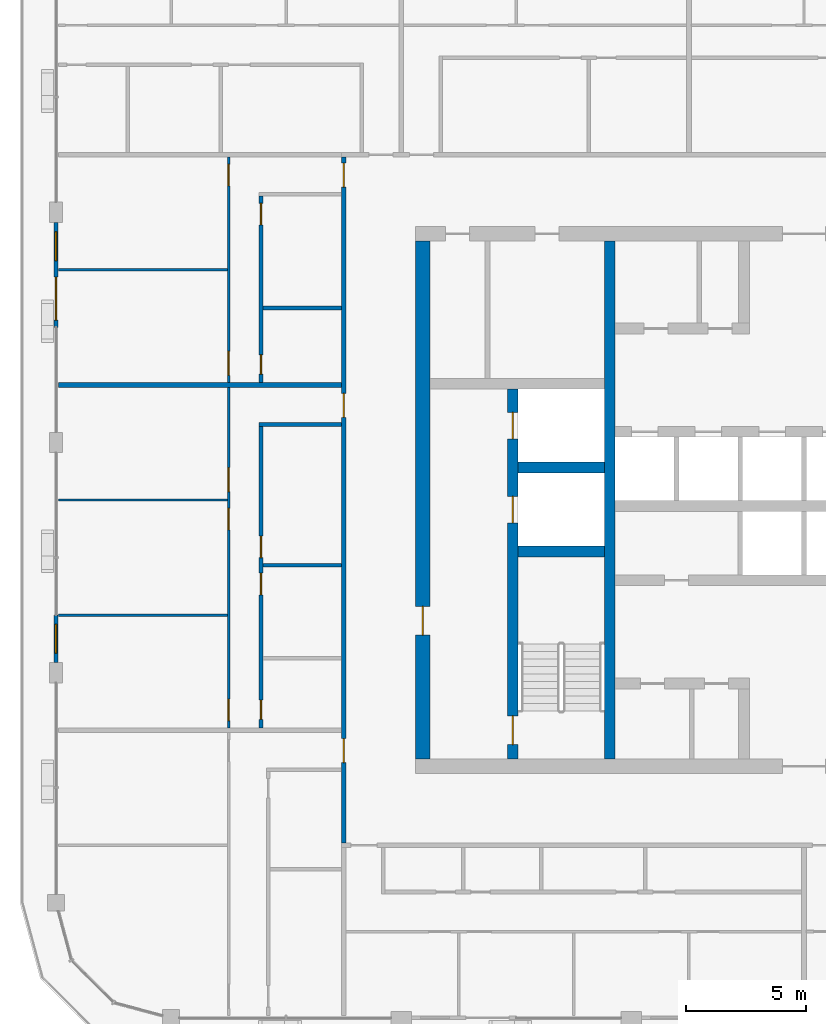
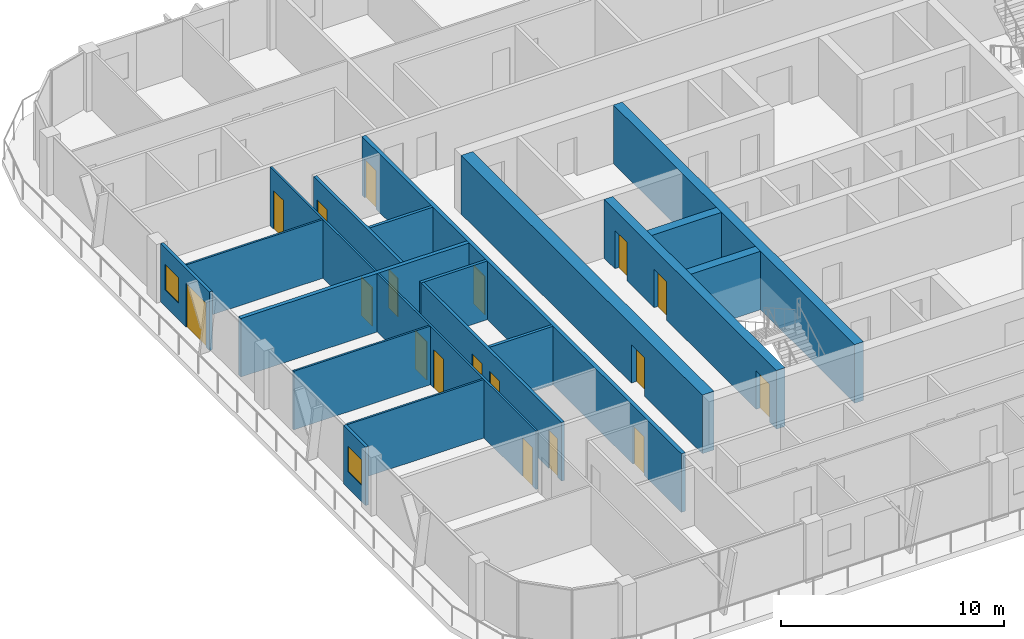
# One storey, part 10 of 21: 19 walls, 18 doors, 2 windows, 20 openings.
"""IFC4 building model written with IfcOpenShell, lengths in metres."""

from ifc_helpers import new_model, si_unit, direction, frame, frame_2d, origin, place, context, subcontext, project, spatial, rectangle, extrude, material, layer, layer_set, type_object, element, fill, save


model = new_model("IFC4")

# Units and contexts
model_context = context("Model", 3, precision=1e-05, world=origin(), true_north=direction((0.0, 1.0)))
body_context = subcontext(model_context, "Body", "Model", "MODEL_VIEW")
ifc_project = project(units=[si_unit("LENGTHUNIT", "METRE"), si_unit("AREAUNIT", "SQUARE_METRE"), si_unit("VOLUMEUNIT", "CUBIC_METRE"), si_unit("PLANEANGLEUNIT", "RADIAN"), si_unit("MASSUNIT", "GRAM", prefix="KILO")], contexts=[model_context])

# Site, building, storey
site_placement = place(None, origin())
site = spatial("IfcSite", under=ifc_project, at=site_placement, CompositionType="ELEMENT")
building_placement = place(site_placement, origin())
building = spatial("IfcBuilding", under=site, at=building_placement, Name="Madar Terraces", CompositionType="ELEMENT")
storey_placement = place(building_placement, frame((0.0, 0.0, 238.699951171875)))
storey = spatial("IfcBuildingStorey", under=building, at=storey_placement, Name="L62", CompositionType="ELEMENT", Elevation=238.699951171875)

# Wall, openings, doors
ifc_material_1 = material(Name="Concrete C55/67", Category="concrete")
ifc_layer_1 = layer(ifc_material_1, 0.449951171875)
ifc_layer_set_1 = layer_set([ifc_layer_1], Name="Concrete C55/67 (CIW5 RC wall 450)")
wall_type_1 = type_object("IfcWallType", Name="CIW5 RC wall 450", PredefinedType="SHEAR", material=ifc_layer_set_1)
wall_1_placement = place(storey_placement, frame((19.050048828125, 15.60009765625, 0.0), z_axis=(0.0, 0.0, 1.0), x_axis=(0.0, 1.0, 0.0)))
wall_1 = element("IfcWall", 1, at=wall_1_placement, inside=storey, type_object=wall_type_1, Name="CORE SHAFT WALL", PredefinedType="SHEAR", context=body_context, shape_type="SweptSolid", body=[
    extrude(rectangle(XDim=15.4248046875, YDim=0.449951171875, at=frame_2d((7.71240234375, 0.0))), origin(), (0.0, 0.0, 1.0), 3.199951171875),
])
opening_1_placement = place(wall_1_placement, frame((9.85009765625, 0.0, 0.0)))
opening_1 = element("IfcOpeningElement", 2, at=opening_1_placement, cuts=wall_1, Name="Opening LD", PredefinedType="OPENING", context=body_context, shape_type="SweptSolid", body=[
    extrude(rectangle(XDim=1.10009765625, YDim=2.10009765625, at=frame_2d((0.550048828125, 1.050048828125))), frame((0.0, 0.23486328125, 0.0), z_axis=(0.0, -1.0, 0.0), x_axis=(1.0, 0.0, 0.0)), (0.0, 0.0, 1.0), 0.469970703125),
])
opening_2_placement = place(wall_1_placement, frame((13.35009765625, 0.0, 0.0)))
opening_2 = element("IfcOpeningElement", 3, at=opening_2_placement, cuts=wall_1, Name="Opening LD", PredefinedType="OPENING", context=body_context, shape_type="SweptSolid", body=[
    extrude(rectangle(XDim=1.10009765625, YDim=2.10009765625, at=frame_2d((0.550048828125, 1.050048828125))), frame((0.0, 0.23486328125, 0.0), z_axis=(0.0, -1.0, 0.0), x_axis=(1.0, 0.0, 0.0)), (0.0, 0.0, 1.0), 0.469970703125),
])
opening_3_placement = place(wall_1_placement, frame((0.60009765625, 0.0, 0.0)))
opening_3 = element("IfcOpeningElement", 4, at=opening_3_placement, cuts=wall_1, Name="Opening SD1", PredefinedType="OPENING", context=body_context, shape_type="SweptSolid", body=[
    extrude(rectangle(XDim=1.199951171875, YDim=2.10009765625, at=frame_2d((0.60009765625, 1.050048828125))), frame((0.0, 0.23486328125, 0.0), z_axis=(0.0, -1.0, 0.0), x_axis=(1.0, 0.0, 0.0)), (0.0, 0.0, 1.0), 0.469970703125),
])
ifc_material_2 = material(Name="Stainless steel panel", Category="steel")
door_type_1 = type_object("IfcDoorType", Name="Lift landing door 1100 x 2100", OperationType="DOUBLE_DOOR_SLIDING", PredefinedType="DOOR", material=ifc_material_2)
door_1_placement = place(opening_1_placement, origin())
door_1 = element("IfcDoor", 5, at=door_1_placement, inside=storey, type_object=door_type_1, Name="LIFT LANDING DOOR", OperationType="DOUBLE_DOOR_SLIDING", OverallHeight=2.10009765625, OverallWidth=1.10009765625, PredefinedType="DOOR", context=body_context, shape_type="SweptSolid", body=[
    extrude(rectangle(XDim=1.10009765625, YDim=2.10009765625, at=frame_2d((0.550048828125, 1.050048828125))), frame((0.0, 0.02490234375, 0.0), z_axis=(0.0, -1.0, 0.0), x_axis=(1.0, 0.0, 0.0)), (0.0, 0.0, 1.0), 0.050048828125),
])
fill(opening_1, door_1)
door_2_placement = place(opening_2_placement, origin())
door_2 = element("IfcDoor", 6, at=door_2_placement, inside=storey, type_object=door_type_1, Name="LIFT LANDING DOOR", OperationType="DOUBLE_DOOR_SLIDING", OverallHeight=2.10009765625, OverallWidth=1.10009765625, PredefinedType="DOOR", context=body_context, shape_type="SweptSolid", body=[
    extrude(rectangle(XDim=1.10009765625, YDim=2.10009765625, at=frame_2d((0.550048828125, 1.050048828125))), frame((0.0, 0.02490234375, 0.0), z_axis=(0.0, -1.0, 0.0), x_axis=(1.0, 0.0, 0.0)), (0.0, 0.0, 1.0), 0.050048828125),
])
fill(opening_2, door_2)
ifc_material_3 = material(Name="Steel door leaf", Category="steel")
door_type_2 = type_object("IfcDoorType", Name="Stair door 1200 x 2100", OperationType="NOTDEFINED", PredefinedType="DOOR", material=ifc_material_3)
door_3_placement = place(opening_3_placement, frame((1.199951171875, 0.0, 0.0), z_axis=(0.0, 0.0, 1.0), x_axis=(-1.0, 0.0, 0.0)))
door_3 = element("IfcDoor", 7, at=door_3_placement, inside=storey, type_object=door_type_2, Name="STAIR DOOR", OperationType="SINGLE_SWING_RIGHT", OverallHeight=2.10009765625, OverallWidth=1.199951171875, PredefinedType="DOOR", context=body_context, shape_type="SweptSolid", body=[
    extrude(rectangle(XDim=1.199951171875, YDim=2.10009765625, at=frame_2d((0.60009765625, 1.050048828125))), frame((0.0, 0.02490234375, 0.0), z_axis=(0.0, -1.0, 0.0), x_axis=(1.0, 0.0, 0.0)), (0.0, 0.0, 1.0), 0.050048828125),
])
fill(opening_3, door_3)

# Walls
wall_2_placement = place(storey_placement, frame((23.10009765625, 15.60009765625, 0.0), z_axis=(0.0, 0.0, 1.0), x_axis=(0.0, 1.0, 0.0)))
element("IfcWall", 8, at=wall_2_placement, inside=storey, type_object=wall_type_1, Name="CORE SHAFT WALL", PredefinedType="SHEAR", context=body_context, shape_type="SweptSolid", body=[
    extrude(rectangle(XDim=21.599853515625, YDim=0.449951171875, at=frame_2d((10.7998046875, 0.0))), origin(), (0.0, 0.0, 1.0), 3.199951171875),
])
for number, where, z_axis, x_axis, name in (
    (9, (19.27490234375, 24.25, 0.0), (0.0, 0.0, 1.0), (1.0, 0.0, 0.0), "CORE SHAFT WALL"),
    (10, (19.27490234375, 27.75, 0.0), (0.0, 0.0, 1.0), (1.0, 0.0, 0.0), "CORE SHAFT WALL"),
):
    element("IfcWall", number, at=place(storey_placement, frame(where, z_axis=z_axis, x_axis=x_axis)), inside=storey, type_object=wall_type_1, Name=name, PredefinedType="SHEAR", context=body_context, shape_type="SweptSolid", body=[
        extrude(rectangle(XDim=3.60009765625, YDim=0.449951171875, at=frame_2d((1.800048828125, 0.0))), origin(), (0.0, 0.0, 1.0), 3.199951171875),
    ])

# Wall, opening, door
ifc_material_4 = material(Name="Concrete C55/67", Category="concrete")
ifc_layer_2 = layer(ifc_material_4, 0.60009765625)
ifc_layer_set_2 = layer_set([ifc_layer_2], Name="Concrete C55/67 (CRW5 RC wall 600)")
wall_type_2 = type_object("IfcWallType", Name="CRW5 RC wall 600", PredefinedType="SHEAR", material=ifc_layer_set_2)
wall_3_placement = place(storey_placement, frame((15.300048828125, 15.60009765625, 0.0), z_axis=(0.0, 0.0, 1.0), x_axis=(0.0, 1.0, 0.0)))
wall_3 = element("IfcWall", 11, at=wall_3_placement, inside=storey, type_object=wall_type_2, Name="CORE OUTER WALL", PredefinedType="SHEAR", context=body_context, shape_type="SweptSolid", body=[
    extrude(rectangle(XDim=21.599853515625, YDim=0.60009765625, at=frame_2d((10.7998046875, 0.0))), origin(), (0.0, 0.0, 1.0), 3.199951171875),
])
opening_4_placement = place(wall_3_placement, frame((5.159912109375, 0.0, 0.0)))
opening_4 = element("IfcOpeningElement", 12, at=opening_4_placement, cuts=wall_3, Name="Opening SD1", PredefinedType="OPENING", context=body_context, shape_type="SweptSolid", body=[
    extrude(rectangle(XDim=1.199951171875, YDim=2.10009765625, at=frame_2d((0.60009765625, 1.050048828125))), frame((0.0, 0.31005859375, 0.0), z_axis=(0.0, -1.0, 0.0), x_axis=(1.0, 0.0, 0.0)), (0.0, 0.0, 1.0), 0.6201171875),
])
door_4_placement = place(opening_4_placement, frame((1.199951171875, 0.0, 0.0), z_axis=(0.0, 0.0, 1.0), x_axis=(-1.0, 0.0, 0.0)))
door_4 = element("IfcDoor", 13, at=door_4_placement, inside=storey, type_object=door_type_2, Name="STAIR DOOR", OperationType="SINGLE_SWING_LEFT", OverallHeight=2.10009765625, OverallWidth=1.199951171875, PredefinedType="DOOR", context=body_context, shape_type="SweptSolid", body=[
    extrude(rectangle(XDim=1.199951171875, YDim=2.10009765625, at=frame_2d((0.60009765625, 1.050048828125))), frame((0.0, 0.02490234375, 0.0), z_axis=(0.0, -1.0, 0.0), x_axis=(1.0, 0.0, 0.0)), (0.0, 0.0, 1.0), 0.050048828125),
])
fill(opening_4, door_4)

# Wall, openings, door, window
ifc_material_5 = material(Name="Aluminium composite panel, black, over insulated backing", Category="aluminium")
ifc_layer_3 = layer(ifc_material_5, 0.14990234375)
ifc_layer_set_3 = layer_set([ifc_layer_3], Name="Facade bay panel 150")
wall_type_3 = type_object("IfcWallType", Name="Facade bay panel 150", PredefinedType="SOLIDWALL", material=ifc_layer_set_3)
wall_4_placement = place(storey_placement, frame((0.0, 37.97509765625, 0.0), z_axis=(0.0, 0.0, 1.0), x_axis=(0.0, -1.0, 0.0)))
wall_4 = element("IfcWall", 14, at=wall_4_placement, inside=storey, type_object=wall_type_3, Name="Facade bay panel", PredefinedType="SOLIDWALL", context=body_context, shape_type="SweptSolid", body=[
    extrude(rectangle(XDim=4.375, YDim=0.14990234375, at=frame_2d((2.1875, 0.0))), origin(), (0.0, 0.0, 1.0), 3.199951171875),
])
opening_5_placement = place(wall_4_placement, frame((0.387451171875, 0.0, 0.89990234375)))
opening_5 = element("IfcOpeningElement", 15, at=opening_5_placement, cuts=wall_4, Name="Opening W1", PredefinedType="OPENING", context=body_context, shape_type="SweptSolid", body=[
    extrude(rectangle(XDim=1.199951171875, YDim=1.39990234375, at=frame_2d((0.60009765625, 0.699951171875))), frame((0.0, 0.0849609375, 0.0), z_axis=(0.0, -1.0, 0.0), x_axis=(1.0, 0.0, 0.0)), (0.0, 0.0, 1.0), 0.169921875),
])
opening_6_placement = place(wall_4_placement, frame((2.27490234375, 0.0, 0.0)))
opening_6 = element("IfcOpeningElement", 16, at=opening_6_placement, cuts=wall_4, Name="Opening ED1", PredefinedType="OPENING", context=body_context, shape_type="SweptSolid", body=[
    extrude(rectangle(XDim=1.800048828125, YDim=2.39990234375, at=frame_2d((0.89990234375, 1.199951171875))), frame((0.0, 0.0849609375, 0.0), z_axis=(0.0, -1.0, 0.0), x_axis=(1.0, 0.0, 0.0)), (0.0, 0.0, 1.0), 0.169921875),
])
ifc_material_6 = material(Name="Glass, clear, with black aluminium frame", Category="aluminium")
door_type_3 = type_object("IfcDoorType", Name="Balcony and terrace sliding door 1800 x 2400", OperationType="SLIDING_TO_LEFT", PredefinedType="DOOR", material=ifc_material_6)
door_5_placement = place(opening_6_placement, origin())
door_5 = element("IfcDoor", 17, at=door_5_placement, inside=storey, type_object=door_type_3, Name="Balcony door", OperationType="SLIDING_TO_LEFT", OverallHeight=2.39990234375, OverallWidth=1.800048828125, PredefinedType="DOOR", context=body_context, shape_type="SweptSolid", body=[
    extrude(rectangle(XDim=1.800048828125, YDim=2.39990234375, at=frame_2d((0.89990234375, 1.199951171875))), frame((0.0, 0.02490234375, 0.0), z_axis=(0.0, -1.0, 0.0), x_axis=(1.0, 0.0, 0.0)), (0.0, 0.0, 1.0), 0.050048828125),
])
fill(opening_6, door_5)
ifc_material_7 = material(Name="Glass, clear, with black aluminium frame", Category="aluminium")
window_type = type_object("IfcWindowType", Name="Vent window 1200 x 1400", PartitioningType="SINGLE_PANEL", PredefinedType="WINDOW", material=ifc_material_7)
window_1_placement = place(opening_5_placement, origin())
window_1 = element("IfcWindow", 18, at=window_1_placement, inside=storey, type_object=window_type, Name="Operable vent window", OverallHeight=1.39990234375, OverallWidth=1.199951171875, PartitioningType="SINGLE_PANEL", PredefinedType="WINDOW", context=body_context, shape_type="SweptSolid", body=[
    extrude(rectangle(XDim=1.199951171875, YDim=1.39990234375, at=frame_2d((0.60009765625, 0.699951171875))), frame((0.0, 0.030029296875, 0.0), z_axis=(0.0, -1.0, 0.0), x_axis=(1.0, 0.0, 0.0)), (0.0, 0.0, 1.0), 0.06005859375),
])
fill(opening_5, window_1)

# Wall, opening, window
wall_5_placement = place(storey_placement, frame((0.0, 21.60009765625, 0.0), z_axis=(0.0, 0.0, 1.0), x_axis=(0.0, -1.0, 0.0)))
wall_5 = element("IfcWall", 19, at=wall_5_placement, inside=storey, type_object=wall_type_3, Name="Facade bay panel", PredefinedType="SOLIDWALL", context=body_context, shape_type="SweptSolid", body=[
    extrude(rectangle(XDim=1.97509765625, YDim=0.14990234375, at=frame_2d((0.987548828125, 0.0))), origin(), (0.0, 0.0, 1.0), 3.199951171875),
])
opening_7_placement = place(wall_5_placement, frame((0.387451171875, 0.0, 0.89990234375)))
opening_7 = element("IfcOpeningElement", 20, at=opening_7_placement, cuts=wall_5, Name="Opening W1", PredefinedType="OPENING", context=body_context, shape_type="SweptSolid", body=[
    extrude(rectangle(XDim=1.199951171875, YDim=1.39990234375, at=frame_2d((0.60009765625, 0.699951171875))), frame((0.0, 0.0849609375, 0.0), z_axis=(0.0, -1.0, 0.0), x_axis=(1.0, 0.0, 0.0)), (0.0, 0.0, 1.0), 0.169921875),
])
window_2_placement = place(opening_7_placement, origin())
window_2 = element("IfcWindow", 21, at=window_2_placement, inside=storey, type_object=window_type, Name="Operable vent window", OverallHeight=1.39990234375, OverallWidth=1.199951171875, PartitioningType="SINGLE_PANEL", PredefinedType="WINDOW", context=body_context, shape_type="SweptSolid", body=[
    extrude(rectangle(XDim=1.199951171875, YDim=1.39990234375, at=frame_2d((0.60009765625, 0.699951171875))), frame((0.0, 0.030029296875, 0.0), z_axis=(0.0, -1.0, 0.0), x_axis=(1.0, 0.0, 0.0)), (0.0, 0.0, 1.0), 0.06005859375),
])
fill(opening_7, window_2)

# Wall
ifc_material_8 = material(Name="Gypsum board on steel studs", Category="steel")
ifc_layer_4 = layer(ifc_material_8, 0.10009765625)
ifc_layer_set_4 = layer_set([ifc_layer_4], Name="Flat partition 100")
wall_type_4 = type_object("IfcWallType", Name="Flat partition 100", PredefinedType="PARTITIONING", material=ifc_layer_set_4)
wall_6_placement = place(storey_placement, frame((7.14990234375, 36.0, 0.0), z_axis=(0.0, 0.0, 1.0), x_axis=(-1.0, 0.0, 0.0)))
element("IfcWall", 22, at=wall_6_placement, inside=storey, type_object=wall_type_4, Name="Flat partition 100", PredefinedType="PARTITIONING", context=body_context, shape_type="SweptSolid", body=[
    extrude(rectangle(XDim=7.0498046875, YDim=0.10009765625, at=frame_2d((3.52490234375, 0.0))), origin(), (0.0, 0.0, 1.0), 3.199951171875),
])

# Wall, openings, doors
wall_7_placement = place(storey_placement, frame((7.199951171875, 31.300048828125, 0.0), z_axis=(0.0, 0.0, 1.0), x_axis=(0.0, 1.0, 0.0)))
wall_7 = element("IfcWall", 23, at=wall_7_placement, inside=storey, type_object=wall_type_4, Name="Flat partition 100", PredefinedType="PARTITIONING", context=body_context, shape_type="SweptSolid", body=[
    extrude(rectangle(XDim=9.39990234375, YDim=0.10009765625, at=frame_2d((4.699951171875, 0.0))), origin(), (0.0, 0.0, 1.0), 3.199951171875),
])
opening_8_placement = place(wall_7_placement, frame((8.199951171875, 0.0, 0.0)))
opening_8 = element("IfcOpeningElement", 24, at=opening_8_placement, cuts=wall_7, Name="Opening D2", PredefinedType="OPENING", context=body_context, shape_type="SweptSolid", body=[
    extrude(rectangle(XDim=0.89990234375, YDim=2.10009765625, at=frame_2d((0.449951171875, 1.050048828125))), frame((0.0, 0.06005859375, 0.0), z_axis=(0.0, -1.0, 0.0), x_axis=(1.0, 0.0, 0.0)), (0.0, 0.0, 1.0), 0.1201171875),
])
opening_9_placement = place(wall_7_placement, frame((0.300048828125, 0.0, 0.0)))
opening_9 = element("IfcOpeningElement", 25, at=opening_9_placement, cuts=wall_7, Name="Opening D3", PredefinedType="OPENING", context=body_context, shape_type="SweptSolid", body=[
    extrude(rectangle(XDim=1.0, YDim=2.10009765625, at=frame_2d((0.5, 1.050048828125))), frame((0.0, 0.06005859375, 0.0), z_axis=(0.0, -1.0, 0.0), x_axis=(1.0, 0.0, 0.0)), (0.0, 0.0, 1.0), 0.1201171875),
])
ifc_material_9 = material(Name="Timber door leaf", Category="wood")
door_type_4 = type_object("IfcDoorType", Name="Flat living room door 1000", OperationType="NOTDEFINED", PredefinedType="DOOR", material=ifc_material_9)
door_6_placement = place(opening_9_placement, origin())
door_6 = element("IfcDoor", 26, at=door_6_placement, inside=storey, type_object=door_type_4, Name="Flat living room door 1000", OperationType="SINGLE_SWING_LEFT", OverallHeight=2.10009765625, OverallWidth=1.0, PredefinedType="DOOR", context=body_context, shape_type="SweptSolid", body=[
    extrude(rectangle(XDim=1.0, YDim=2.10009765625, at=frame_2d((0.5, 1.050048828125))), frame((0.0, 0.02490234375, 0.0), z_axis=(0.0, -1.0, 0.0), x_axis=(1.0, 0.0, 0.0)), (0.0, 0.0, 1.0), 0.050048828125),
])
fill(opening_9, door_6)
ifc_material_10 = material(Name="Timber door leaf", Category="wood")
door_type_5 = type_object("IfcDoorType", Name="Flat room door 900", OperationType="NOTDEFINED", PredefinedType="DOOR", material=ifc_material_10)
door_7_placement = place(opening_8_placement, origin())
door_7 = element("IfcDoor", 27, at=door_7_placement, inside=storey, type_object=door_type_5, Name="Flat room door 900", OperationType="SINGLE_SWING_RIGHT", OverallHeight=2.10009765625, OverallWidth=0.89990234375, PredefinedType="DOOR", context=body_context, shape_type="SweptSolid", body=[
    extrude(rectangle(XDim=0.89990234375, YDim=2.10009765625, at=frame_2d((0.449951171875, 1.050048828125))), frame((0.0, 0.02490234375, 0.0), z_axis=(0.0, -1.0, 0.0), x_axis=(1.0, 0.0, 0.0)), (0.0, 0.0, 1.0), 0.050048828125),
])
fill(opening_8, door_7)

# Walls
for number, where, z_axis, x_axis, name in (
    (28, (7.14990234375, 26.39990234375, 0.0), (0.0, 0.0, 1.0), (-1.0, 0.0, 0.0), "Flat partition 100"),
    (29, (7.14990234375, 21.60009765625, 0.0), (0.0, 0.0, 1.0), (-1.0, 0.0, 0.0), "Flat partition 100"),
):
    element("IfcWall", number, at=place(storey_placement, frame(where, z_axis=z_axis, x_axis=x_axis)), inside=storey, type_object=wall_type_4, Name=name, PredefinedType="PARTITIONING", context=body_context, shape_type="SweptSolid", body=[
        extrude(rectangle(XDim=7.0498046875, YDim=0.10009765625, at=frame_2d((3.52490234375, 0.0))), origin(), (0.0, 0.0, 1.0), 3.199951171875),
    ])

# Wall, openings, doors
wall_8_placement = place(storey_placement, frame((7.199951171875, 16.89990234375, 0.0), z_axis=(0.0, 0.0, 1.0), x_axis=(0.0, 1.0, 0.0)))
wall_8 = element("IfcWall", 30, at=wall_8_placement, inside=storey, type_object=wall_type_4, Name="Flat partition 100", PredefinedType="PARTITIONING", context=body_context, shape_type="SweptSolid", body=[
    extrude(rectangle(XDim=14.2001953125, YDim=0.10009765625, at=frame_2d((7.10009765625, 0.0))), origin(), (0.0, 0.0, 1.0), 3.199951171875),
])
opening_10_placement = place(wall_8_placement, frame((9.85009765625, 0.0, 0.0)))
opening_10 = element("IfcOpeningElement", 31, at=opening_10_placement, cuts=wall_8, Name="Opening D3", PredefinedType="OPENING", context=body_context, shape_type="SweptSolid", body=[
    extrude(rectangle(XDim=1.0, YDim=2.10009765625, at=frame_2d((0.5, 1.050048828125))), frame((0.0, 0.06005859375, 0.0), z_axis=(0.0, -1.0, 0.0), x_axis=(1.0, 0.0, 0.0)), (0.0, 0.0, 1.0), 0.1201171875),
])
opening_11_placement = place(wall_8_placement, frame((8.25, 0.0, 0.0)))
opening_11 = element("IfcOpeningElement", 32, at=opening_11_placement, cuts=wall_8, Name="Opening D2", PredefinedType="OPENING", context=body_context, shape_type="SweptSolid", body=[
    extrude(rectangle(XDim=0.89990234375, YDim=2.10009765625, at=frame_2d((0.449951171875, 1.050048828125))), frame((0.0, 0.06005859375, 0.0), z_axis=(0.0, -1.0, 0.0), x_axis=(1.0, 0.0, 0.0)), (0.0, 0.0, 1.0), 0.1201171875),
])
opening_12_placement = place(wall_8_placement, frame((0.300048828125, 0.0, 0.0)))
opening_12 = element("IfcOpeningElement", 33, at=opening_12_placement, cuts=wall_8, Name="Opening D2", PredefinedType="OPENING", context=body_context, shape_type="SweptSolid", body=[
    extrude(rectangle(XDim=0.89990234375, YDim=2.10009765625, at=frame_2d((0.449951171875, 1.050048828125))), frame((0.0, 0.06005859375, 0.0), z_axis=(0.0, -1.0, 0.0), x_axis=(1.0, 0.0, 0.0)), (0.0, 0.0, 1.0), 0.1201171875),
])
door_8_placement = place(opening_10_placement, origin())
door_8 = element("IfcDoor", 34, at=door_8_placement, inside=storey, type_object=door_type_4, Name="Flat living room door 1000", OperationType="SINGLE_SWING_LEFT", OverallHeight=2.10009765625, OverallWidth=1.0, PredefinedType="DOOR", context=body_context, shape_type="SweptSolid", body=[
    extrude(rectangle(XDim=1.0, YDim=2.10009765625, at=frame_2d((0.5, 1.050048828125))), frame((0.0, 0.02490234375, 0.0), z_axis=(0.0, -1.0, 0.0), x_axis=(1.0, 0.0, 0.0)), (0.0, 0.0, 1.0), 0.050048828125),
])
fill(opening_10, door_8)
door_9_placement = place(opening_11_placement, origin())
door_9 = element("IfcDoor", 35, at=door_9_placement, inside=storey, type_object=door_type_5, Name="Flat room door 900", OperationType="SINGLE_SWING_RIGHT", OverallHeight=2.10009765625, OverallWidth=0.89990234375, PredefinedType="DOOR", context=body_context, shape_type="SweptSolid", body=[
    extrude(rectangle(XDim=0.89990234375, YDim=2.10009765625, at=frame_2d((0.449951171875, 1.050048828125))), frame((0.0, 0.02490234375, 0.0), z_axis=(0.0, -1.0, 0.0), x_axis=(1.0, 0.0, 0.0)), (0.0, 0.0, 1.0), 0.050048828125),
])
fill(opening_11, door_9)
door_10_placement = place(opening_12_placement, origin())
door_10 = element("IfcDoor", 36, at=door_10_placement, inside=storey, type_object=door_type_5, Name="Flat room door 900", OperationType="SINGLE_SWING_LEFT", OverallHeight=2.10009765625, OverallWidth=0.89990234375, PredefinedType="DOOR", context=body_context, shape_type="SweptSolid", body=[
    extrude(rectangle(XDim=0.89990234375, YDim=2.10009765625, at=frame_2d((0.449951171875, 1.050048828125))), frame((0.0, 0.02490234375, 0.0), z_axis=(0.0, -1.0, 0.0), x_axis=(1.0, 0.0, 0.0)), (0.0, 0.0, 1.0), 0.050048828125),
])
fill(opening_12, door_10)

ifc_material_11 = material(Name="Lightweight blockwork", Category="masonry")
ifc_layer_5 = layer(ifc_material_11, 0.199951171875)
ifc_layer_set_5 = layer_set([ifc_layer_5], Name="Flat party and entrance wall 200")
wall_type_5 = type_object("IfcWallType", Name="Flat party and entrance wall 200", PredefinedType="PARTITIONING", material=ifc_layer_set_5)
wall_9_placement = place(storey_placement, frame((12.0, 12.10009765625, 0.0), z_axis=(0.0, 0.0, 1.0), x_axis=(0.0, 1.0, 0.0)))
wall_9 = element("IfcWall", 37, at=wall_9_placement, inside=storey, type_object=wall_type_5, Name="Flat party and entrance wall 200", PredefinedType="PARTITIONING", context=body_context, shape_type="SweptSolid", body=[
    extrude(rectangle(XDim=28.599853515625, YDim=0.199951171875, at=frame_2d((14.2998046875, 0.0))), origin(), (0.0, 0.0, 1.0), 3.199951171875),
])
opening_13_placement = place(wall_9_placement, frame((27.35009765625, 0.0, 0.0)))
opening_13 = element("IfcOpeningElement", 38, at=opening_13_placement, cuts=wall_9, Name="Opening D1", PredefinedType="OPENING", context=body_context, shape_type="SweptSolid", body=[
    extrude(rectangle(XDim=1.0, YDim=2.10009765625, at=frame_2d((0.5, 1.050048828125))), frame((0.0, 0.10986328125, 0.0), z_axis=(0.0, -1.0, 0.0), x_axis=(1.0, 0.0, 0.0)), (0.0, 0.0, 1.0), 0.219970703125),
])
opening_14_placement = place(wall_9_placement, frame((17.75, 0.0, 0.0)))
opening_14 = element("IfcOpeningElement", 39, at=opening_14_placement, cuts=wall_9, Name="Opening D1", PredefinedType="OPENING", context=body_context, shape_type="SweptSolid", body=[
    extrude(rectangle(XDim=1.0, YDim=2.10009765625, at=frame_2d((0.5, 1.050048828125))), frame((0.0, 0.10986328125, 0.0), z_axis=(0.0, -1.0, 0.0), x_axis=(1.0, 0.0, 0.0)), (0.0, 0.0, 1.0), 0.219970703125),
])
opening_15_placement = place(wall_9_placement, frame((3.35009765625, 0.0, 0.0)))
opening_15 = element("IfcOpeningElement", 40, at=opening_15_placement, cuts=wall_9, Name="Opening D1", PredefinedType="OPENING", context=body_context, shape_type="SweptSolid", body=[
    extrude(rectangle(XDim=1.0, YDim=2.10009765625, at=frame_2d((0.5, 1.050048828125))), frame((0.0, 0.10986328125, 0.0), z_axis=(0.0, -1.0, 0.0), x_axis=(1.0, 0.0, 0.0)), (0.0, 0.0, 1.0), 0.219970703125),
])
ifc_material_12 = material(Name="Timber fire door leaf", Category="wood")
door_type_6 = type_object("IfcDoorType", Name="Flat entrance door 1000 FD30S", OperationType="NOTDEFINED", PredefinedType="DOOR", material=ifc_material_12)
door_11_placement = place(opening_13_placement, origin())
door_11 = element("IfcDoor", 41, at=door_11_placement, inside=storey, type_object=door_type_6, Name="Flat entrance door 1000 FD30S", OperationType="SINGLE_SWING_RIGHT", OverallHeight=2.10009765625, OverallWidth=1.0, PredefinedType="DOOR", context=body_context, shape_type="SweptSolid", body=[
    extrude(rectangle(XDim=1.0, YDim=2.10009765625, at=frame_2d((0.5, 1.050048828125))), frame((0.0, 0.02490234375, 0.0), z_axis=(0.0, -1.0, 0.0), x_axis=(1.0, 0.0, 0.0)), (0.0, 0.0, 1.0), 0.050048828125),
])
fill(opening_13, door_11)
door_12_placement = place(opening_14_placement, origin())
door_12 = element("IfcDoor", 42, at=door_12_placement, inside=storey, type_object=door_type_6, Name="Flat entrance door 1000 FD30S", OperationType="SINGLE_SWING_RIGHT", OverallHeight=2.10009765625, OverallWidth=1.0, PredefinedType="DOOR", context=body_context, shape_type="SweptSolid", body=[
    extrude(rectangle(XDim=1.0, YDim=2.10009765625, at=frame_2d((0.5, 1.050048828125))), frame((0.0, 0.02490234375, 0.0), z_axis=(0.0, -1.0, 0.0), x_axis=(1.0, 0.0, 0.0)), (0.0, 0.0, 1.0), 0.050048828125),
])
fill(opening_14, door_12)
door_13_placement = place(opening_15_placement, origin())
door_13 = element("IfcDoor", 43, at=door_13_placement, inside=storey, type_object=door_type_6, Name="Flat entrance door 1000 FD30S", OperationType="SINGLE_SWING_RIGHT", OverallHeight=2.10009765625, OverallWidth=1.0, PredefinedType="DOOR", context=body_context, shape_type="SweptSolid", body=[
    extrude(rectangle(XDim=1.0, YDim=2.10009765625, at=frame_2d((0.5, 1.050048828125))), frame((0.0, 0.02490234375, 0.0), z_axis=(0.0, -1.0, 0.0), x_axis=(1.0, 0.0, 0.0)), (0.0, 0.0, 1.0), 0.050048828125),
])
fill(opening_15, door_13)

# Walls
wall_10_placement = place(storey_placement, frame((0.10009765625, 31.199951171875, 0.0), z_axis=(0.0, 0.0, 1.0), x_axis=(1.0, 0.0, 0.0)))
element("IfcWall", 44, at=wall_10_placement, inside=storey, type_object=wall_type_5, Name="Flat party and entrance wall 200", PredefinedType="PARTITIONING", context=body_context, shape_type="SweptSolid", body=[
    extrude(rectangle(XDim=11.7998046875, YDim=0.199951171875, at=frame_2d((5.89990234375, 0.0))), origin(), (0.0, 0.0, 1.0), 3.199951171875),
])
ifc_material_13 = material(Name="Lightweight blockwork", Category="masonry")
ifc_layer_6 = layer(ifc_material_13, 0.14990234375)
ifc_layer_set_6 = layer_set([ifc_layer_6], Name="Flat wet-room partition 150")
wall_type_6 = type_object("IfcWallType", Name="Flat wet-room partition 150", PredefinedType="PARTITIONING", material=ifc_layer_set_6)
wall_11_placement = place(storey_placement, frame((11.89990234375, 34.409912109375, 0.0), z_axis=(0.0, 0.0, 1.0), x_axis=(-1.0, 0.0, 0.0)))
element("IfcWall", 45, at=wall_11_placement, inside=storey, type_object=wall_type_6, Name="Flat wet-room partition 150", PredefinedType="PARTITIONING", context=body_context, shape_type="SweptSolid", body=[
    extrude(rectangle(XDim=3.27490234375, YDim=0.14990234375, at=frame_2d((1.637451171875, 0.0))), origin(), (0.0, 0.0, 1.0), 3.199951171875),
])

# Wall, openings, doors
wall_12_placement = place(storey_placement, frame((8.550048828125, 39.074951171875, 0.0), z_axis=(0.0, 0.0, 1.0), x_axis=(0.0, -1.0, 0.0)))
wall_12 = element("IfcWall", 46, at=wall_12_placement, inside=storey, type_object=wall_type_6, Name="Flat wet-room partition 150", PredefinedType="PARTITIONING", context=body_context, shape_type="SweptSolid", body=[
    extrude(rectangle(XDim=7.77490234375, YDim=0.14990234375, at=frame_2d((3.887451171875, 0.0))), origin(), (0.0, 0.0, 1.0), 3.199951171875),
])
opening_16_placement = place(wall_12_placement, frame((0.300048828125, 0.0, 0.0)))
opening_16 = element("IfcOpeningElement", 47, at=opening_16_placement, cuts=wall_12, Name="Opening D2", PredefinedType="OPENING", context=body_context, shape_type="SweptSolid", body=[
    extrude(rectangle(XDim=0.89990234375, YDim=2.10009765625, at=frame_2d((0.449951171875, 1.050048828125))), frame((0.0, 0.0849609375, 0.0), z_axis=(0.0, -1.0, 0.0), x_axis=(1.0, 0.0, 0.0)), (0.0, 0.0, 1.0), 0.169921875),
])
opening_17_placement = place(wall_12_placement, frame((6.625, 0.0, 0.0)))
opening_17 = element("IfcOpeningElement", 48, at=opening_17_placement, cuts=wall_12, Name="Opening D4", PredefinedType="OPENING", context=body_context, shape_type="SweptSolid", body=[
    extrude(rectangle(XDim=0.800048828125, YDim=2.10009765625, at=frame_2d((0.39990234375, 1.050048828125))), frame((0.0, 0.0849609375, 0.0), z_axis=(0.0, -1.0, 0.0), x_axis=(1.0, 0.0, 0.0)), (0.0, 0.0, 1.0), 0.169921875),
])
ifc_material_14 = material(Name="Timber door leaf", Category="wood")
door_type_7 = type_object("IfcDoorType", Name="Flat bathroom door 800", OperationType="NOTDEFINED", PredefinedType="DOOR", material=ifc_material_14)
door_14_placement = place(opening_17_placement, origin())
door_14 = element("IfcDoor", 49, at=door_14_placement, inside=storey, type_object=door_type_7, Name="Flat bathroom door 800", OperationType="SINGLE_SWING_RIGHT", OverallHeight=2.10009765625, OverallWidth=0.800048828125, PredefinedType="DOOR", context=body_context, shape_type="SweptSolid", body=[
    extrude(rectangle(XDim=0.800048828125, YDim=2.10009765625, at=frame_2d((0.39990234375, 1.050048828125))), frame((0.0, 0.02490234375, 0.0), z_axis=(0.0, -1.0, 0.0), x_axis=(1.0, 0.0, 0.0)), (0.0, 0.0, 1.0), 0.050048828125),
])
fill(opening_17, door_14)
door_15_placement = place(opening_16_placement, origin())
door_15 = element("IfcDoor", 50, at=door_15_placement, inside=storey, type_object=door_type_5, Name="Flat room door 900", OperationType="SINGLE_SWING_LEFT", OverallHeight=2.10009765625, OverallWidth=0.89990234375, PredefinedType="DOOR", context=body_context, shape_type="SweptSolid", body=[
    extrude(rectangle(XDim=0.89990234375, YDim=2.10009765625, at=frame_2d((0.449951171875, 1.050048828125))), frame((0.0, 0.02490234375, 0.0), z_axis=(0.0, -1.0, 0.0), x_axis=(1.0, 0.0, 0.0)), (0.0, 0.0, 1.0), 0.050048828125),
])
fill(opening_16, door_15)

# Walls
wall_13_placement = place(storey_placement, frame((11.89990234375, 23.671142578125, 0.0), z_axis=(0.0, 0.0, 1.0), x_axis=(-1.0, 0.0, 0.0)))
element("IfcWall", 51, at=wall_13_placement, inside=storey, type_object=wall_type_6, Name="Flat wet-room partition 150", PredefinedType="PARTITIONING", context=body_context, shape_type="SweptSolid", body=[
    extrude(rectangle(XDim=3.27490234375, YDim=0.14990234375, at=frame_2d((1.637451171875, 0.0))), origin(), (0.0, 0.0, 1.0), 3.199951171875),
])
wall_14_placement = place(storey_placement, frame((11.89990234375, 29.550048828125, 0.0), z_axis=(0.0, 0.0, 1.0), x_axis=(-1.0, 0.0, 0.0)))
element("IfcWall", 52, at=wall_14_placement, inside=storey, type_object=wall_type_6, Name="Flat wet-room partition 150", PredefinedType="PARTITIONING", context=body_context, shape_type="SweptSolid", body=[
    extrude(rectangle(XDim=3.4248046875, YDim=0.14990234375, at=frame_2d((1.71240234375, 0.0))), origin(), (0.0, 0.0, 1.0), 3.199951171875),
])

# Wall, openings, doors
wall_15_placement = place(storey_placement, frame((8.550048828125, 29.47509765625, 0.0), z_axis=(0.0, 0.0, 1.0), x_axis=(0.0, -1.0, 0.0)))
wall_15 = element("IfcWall", 53, at=wall_15_placement, inside=storey, type_object=wall_type_6, Name="Flat wet-room partition 150", PredefinedType="PARTITIONING", context=body_context, shape_type="SweptSolid", body=[
    extrude(rectangle(XDim=12.5751953125, YDim=0.14990234375, at=frame_2d((6.28759765625, 0.0))), origin(), (0.0, 0.0, 1.0), 3.199951171875),
])
opening_18_placement = place(wall_15_placement, frame((4.578857421875, 0.0, 0.0)))
opening_18 = element("IfcOpeningElement", 54, at=opening_18_placement, cuts=wall_15, Name="Opening D2", PredefinedType="OPENING", context=body_context, shape_type="SweptSolid", body=[
    extrude(rectangle(XDim=0.89990234375, YDim=2.10009765625, at=frame_2d((0.449951171875, 1.050048828125))), frame((0.0, 0.0849609375, 0.0), z_axis=(0.0, -1.0, 0.0), x_axis=(1.0, 0.0, 0.0)), (0.0, 0.0, 1.0), 0.169921875),
])
opening_19_placement = place(wall_15_placement, frame((6.12890625, 0.0, 0.0)))
opening_19 = element("IfcOpeningElement", 55, at=opening_19_placement, cuts=wall_15, Name="Opening D5", PredefinedType="OPENING", context=body_context, shape_type="SweptSolid", body=[
    extrude(rectangle(XDim=0.89990234375, YDim=2.10009765625, at=frame_2d((0.449951171875, 1.050048828125))), frame((0.0, 0.0849609375, 0.0), z_axis=(0.0, -1.0, 0.0), x_axis=(1.0, 0.0, 0.0)), (0.0, 0.0, 1.0), 0.169921875),
])
opening_20_placement = place(wall_15_placement, frame((11.425048828125, 0.0, 0.0)))
opening_20 = element("IfcOpeningElement", 56, at=opening_20_placement, cuts=wall_15, Name="Opening D4", PredefinedType="OPENING", context=body_context, shape_type="SweptSolid", body=[
    extrude(rectangle(XDim=0.800048828125, YDim=2.10009765625, at=frame_2d((0.39990234375, 1.050048828125))), frame((0.0, 0.0849609375, 0.0), z_axis=(0.0, -1.0, 0.0), x_axis=(1.0, 0.0, 0.0)), (0.0, 0.0, 1.0), 0.169921875),
])
ifc_material_15 = material(Name="Timber door leaf", Category="wood")
door_type_8 = type_object("IfcDoorType", Name="Flat accessible bathroom door 900", OperationType="NOTDEFINED", PredefinedType="DOOR", material=ifc_material_15)
door_16_placement = place(opening_19_placement, origin())
door_16 = element("IfcDoor", 57, at=door_16_placement, inside=storey, type_object=door_type_8, Name="Flat accessible bathroom door 900", OperationType="SINGLE_SWING_LEFT", OverallHeight=2.10009765625, OverallWidth=0.89990234375, PredefinedType="DOOR", context=body_context, shape_type="SweptSolid", body=[
    extrude(rectangle(XDim=0.89990234375, YDim=2.10009765625, at=frame_2d((0.449951171875, 1.050048828125))), frame((0.0, 0.02490234375, 0.0), z_axis=(0.0, -1.0, 0.0), x_axis=(1.0, 0.0, 0.0)), (0.0, 0.0, 1.0), 0.050048828125),
])
fill(opening_19, door_16)
door_17_placement = place(opening_20_placement, origin())
door_17 = element("IfcDoor", 58, at=door_17_placement, inside=storey, type_object=door_type_7, Name="Flat bathroom door 800", OperationType="SINGLE_SWING_RIGHT", OverallHeight=2.10009765625, OverallWidth=0.800048828125, PredefinedType="DOOR", context=body_context, shape_type="SweptSolid", body=[
    extrude(rectangle(XDim=0.800048828125, YDim=2.10009765625, at=frame_2d((0.39990234375, 1.050048828125))), frame((0.0, 0.02490234375, 0.0), z_axis=(0.0, -1.0, 0.0), x_axis=(1.0, 0.0, 0.0)), (0.0, 0.0, 1.0), 0.050048828125),
])
fill(opening_20, door_17)
door_18_placement = place(opening_18_placement, origin())
door_18 = element("IfcDoor", 59, at=door_18_placement, inside=storey, type_object=door_type_5, Name="Flat room door 900", OperationType="SINGLE_SWING_RIGHT", OverallHeight=2.10009765625, OverallWidth=0.89990234375, PredefinedType="DOOR", context=body_context, shape_type="SweptSolid", body=[
    extrude(rectangle(XDim=0.89990234375, YDim=2.10009765625, at=frame_2d((0.449951171875, 1.050048828125))), frame((0.0, 0.02490234375, 0.0), z_axis=(0.0, -1.0, 0.0), x_axis=(1.0, 0.0, 0.0)), (0.0, 0.0, 1.0), 0.050048828125),
])
fill(opening_18, door_18)

save(model, "model.ifc")
